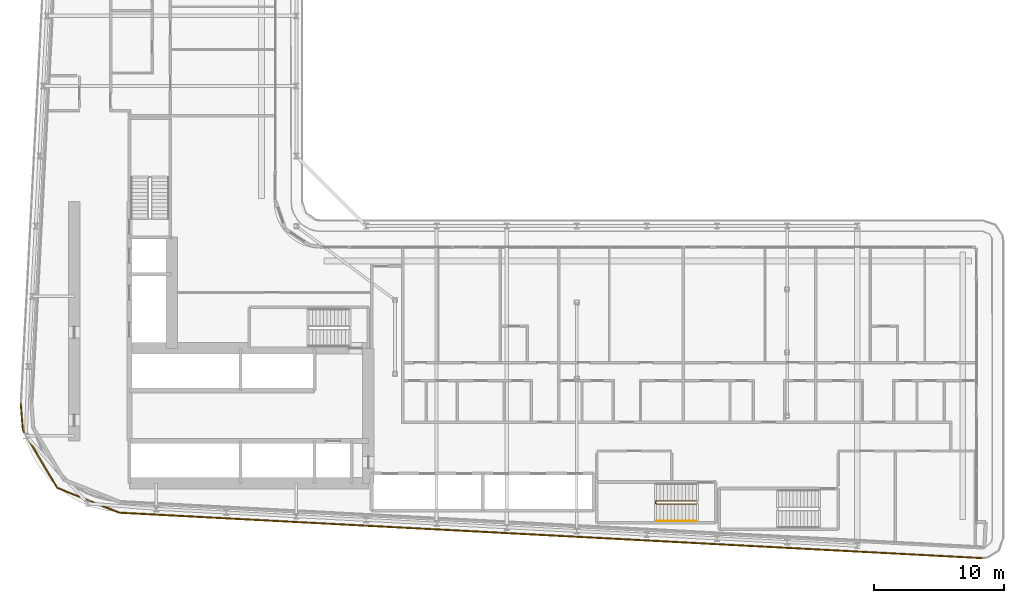
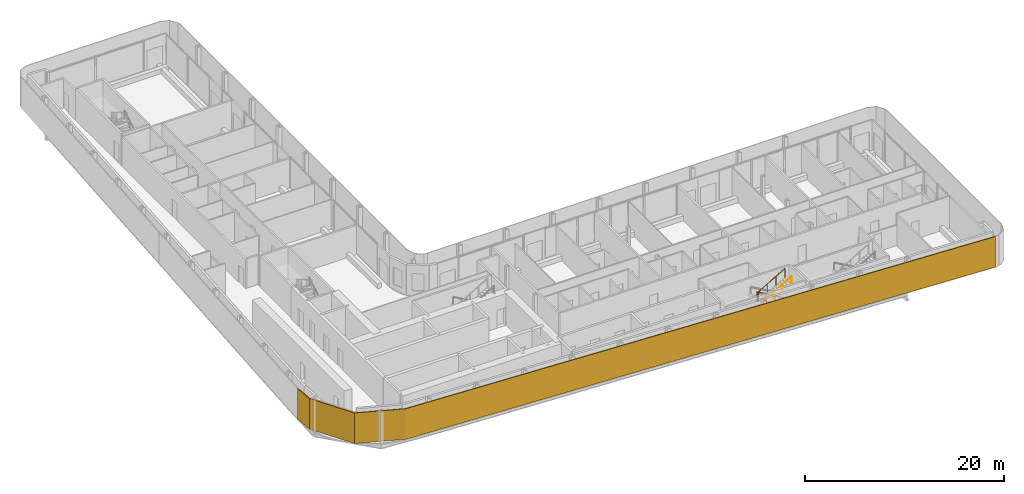
# One storey, part 22 of 26: 2 railings, 1 shading device.
"""IFC4 building model written with IfcOpenShell, lengths in metres."""

from ifc_helpers import new_model, si_unit, direction, frame, origin, origin_2d, place, context, subcontext, project, spatial, polyline, circle, outline, extrude, material, layer, layer_set, type_object, element, save


model = new_model("IFC4")

# Units and contexts
model_context = context("Model", 3, precision=1e-05, world=origin(), true_north=direction((0.0, 1.0)))
body_context = subcontext(model_context, "Body", "Model", "MODEL_VIEW")
ifc_project = project(units=[si_unit("LENGTHUNIT", "METRE"), si_unit("AREAUNIT", "SQUARE_METRE"), si_unit("VOLUMEUNIT", "CUBIC_METRE"), si_unit("PLANEANGLEUNIT", "RADIAN"), si_unit("MASSUNIT", "GRAM", prefix="KILO")], contexts=[model_context])

# Site, building, storey
site_placement = place(None, origin())
site = spatial("IfcSite", under=ifc_project, at=site_placement, CompositionType="ELEMENT")
building_placement = place(site_placement, origin())
building = spatial("IfcBuilding", under=site, at=building_placement, Name="Kheshtan School and Residences Tower", CompositionType="ELEMENT")
storey_placement = place(building_placement, frame((0.0, 0.0, 105.800048828125)))
storey = spatial("IfcBuildingStorey", under=building, at=storey_placement, Name="L24", CompositionType="ELEMENT", Elevation=105.800048828125)

# Shading device
ifc_material_1 = material(Name="Terracotta baguette, extruded ceramic", Category="masonry")
ifc_layer = layer(ifc_material_1, 0.10009765625)
ifc_layer_set = layer_set([ifc_layer], Name="Ledge screen, terracotta baguettes")
shading_device_type = type_object("IfcShadingDeviceType", Name="Ledge screen, terracotta baguettes", PredefinedType="USERDEFINED", material=ifc_layer_set)
shading_device_placement = place(storey_placement, origin())
element("IfcShadingDevice", 1, at=shading_device_placement, inside=storey, type_object=shading_device_type, Name="Screen L24 3", ObjectType="BAGUETTE", PredefinedType="USERDEFINED", context=body_context, shape_type="SweptSolid", body=[
    extrude(outline(polyline([(100.4208984375, 20.0830078125), (33.989013671875, 23.580078125), (29.2119140625, 25.486083984375), (26.583984375, 29.906982421875), (26.419921875, 31.989013671875), (26.320068359375, 31.98095703125), (26.486083984375, 29.8759765625), (29.14306640625, 25.406005859375), (33.967041015625, 23.48095703125), (100.416015625, 19.98291015625), (100.4208984375, 20.0830078125)])), origin(), (0.0, 0.0, 1.0), 3.75),
])

# Railings
ifc_material_2 = material(Name="Stainless steel balustrade", Category="steel")
railing_type_1 = type_object("IfcRailingType", Name="Stair guard 1100", PredefinedType="GUARDRAIL", material=ifc_material_2)
railing_1_placement = place(storey_placement, frame((78.409912109375, 24.449951171875, 0.162353515625)))
element("IfcRailing", 2, at=railing_1_placement, inside=storey, type_object=railing_type_1, Name="L24 ST5 stair guard 1", PredefinedType="GUARDRAIL", context=body_context, shape_type="SweptSolid", body=[
    extrude(circle(Radius=0.02392578125, at=origin_2d()), frame((0.0, 0.0, 1.076171875), z_axis=(-0.864873446163, 0.0, 0.501989962173), x_axis=(0.0, -1.0, 0.0)), (0.0, 0.0, 1.0), 3.56103515625),
    extrude(circle(Radius=0.02392578125, at=origin_2d()), frame((-3.079833984375, 0.0, 2.86376953125), z_axis=(-0.707106781187, -0.707106781187, 0.0), x_axis=(0.707106781187, -0.707106781187, 0.0)), (0.0, 0.0, 1.0), 0.07080078125),
    extrude(circle(Radius=0.02392578125, at=origin_2d()), frame((-3.1298828125, -0.050048828125, 2.86376953125), z_axis=(0.0, -1.0, 0.0), x_axis=(1.0, 0.0, 0.0)), (0.0, 0.0, 1.0), 0.14990234375),
    extrude(circle(Radius=0.02392578125, at=origin_2d()), frame((-3.1298828125, -0.199951171875, 2.86376953125), z_axis=(0.282227285176, -0.282227285176, 0.916894497205), x_axis=(0.707106781187, 0.707106781187, 0.0)), (0.0, 0.0, 1.0), 0.17724609375),
    extrude(circle(Radius=0.02392578125, at=origin_2d()), frame((-3.079833984375, -0.25, 3.0263671875), z_axis=(0.864903211148, 0.0, 0.501938676878), x_axis=(0.0, 1.0, 0.0)), (0.0, 0.0, 1.0), 3.560791015625),
    extrude(circle(Radius=0.02099609375, at=origin_2d()), origin(), (0.0, 0.0, 1.0), 1.052001953125),
    extrude(circle(Radius=0.02099609375, at=origin_2d()), frame((-1.026611328125, 0.0, 0.595947265625)), (0.0, 0.0, 1.0), 1.052001953125),
    extrude(circle(Radius=0.02099609375, at=origin_2d()), frame((-2.05322265625, 0.0, 1.191650390625)), (0.0, 0.0, 1.0), 1.052001953125),
    extrude(circle(Radius=0.02099609375, at=origin_2d()), frame((-3.079833984375, 0.0, 1.78759765625)), (0.0, 0.0, 1.0), 1.052001953125),
    extrude(circle(Radius=0.02099609375, at=origin_2d()), frame((-3.1298828125, -0.050048828125, 1.78759765625)), (0.0, 0.0, 1.0), 1.052001953125),
    extrude(circle(Radius=0.02099609375, at=origin_2d()), frame((-3.1298828125, -0.199951171875, 1.78759765625)), (0.0, 0.0, 1.0), 1.052001953125),
    extrude(circle(Radius=0.02099609375, at=origin_2d()), frame((-3.079833984375, -0.25, 1.9501953125)), (0.0, 0.0, 1.0), 1.052001953125),
    extrude(circle(Radius=0.02099609375, at=origin_2d()), frame((-2.05322265625, -0.25, 2.5458984375)), (0.0, 0.0, 1.0), 1.052001953125),
    extrude(circle(Radius=0.02099609375, at=origin_2d()), frame((-1.026611328125, -0.25, 3.141845703125)), (0.0, 0.0, 1.0), 1.052001953125),
    extrude(circle(Radius=0.02099609375, at=origin_2d()), frame((0.0, -0.25, 3.737548828125)), (0.0, 0.0, 1.0), 1.052001953125),
])
ifc_material_3 = material(Name="Stainless steel handrail", Category="steel")
railing_type_2 = type_object("IfcRailingType", Name="Stair handrail 900", PredefinedType="HANDRAIL", material=ifc_material_3)
railing_2_placement = place(storey_placement, frame((75.330078125, 22.89990234375, 2.112548828125)))
element("IfcRailing", 3, at=railing_2_placement, inside=storey, type_object=railing_type_2, Name="L24 ST5 stair handrail 2", PredefinedType="HANDRAIL", context=body_context, shape_type="SweptSolid", body=[
    extrude(circle(Radius=0.02392578125, at=origin_2d()), frame((0.0, 0.0, 0.8759765625), z_axis=(0.864903211148, 0.0, 0.501938676878), x_axis=(0.0, 1.0, 0.0)), (0.0, 0.0, 1.0), 3.560791015625),
    extrude(circle(Radius=0.02099609375, at=origin_2d()), origin(), (0.0, 0.0, 1.0), 0.851806640625),
    extrude(circle(Radius=0.02099609375, at=origin_2d()), frame((1.026611328125, 0.0, 0.595703125)), (0.0, 0.0, 1.0), 0.851806640625),
    extrude(circle(Radius=0.02099609375, at=origin_2d()), frame((2.05322265625, 0.0, 1.191650390625)), (0.0, 0.0, 1.0), 0.851806640625),
    extrude(circle(Radius=0.02099609375, at=origin_2d()), frame((3.079833984375, 0.0, 1.787353515625)), (0.0, 0.0, 1.0), 0.851806640625),
])

save(model, "model.ifc")
